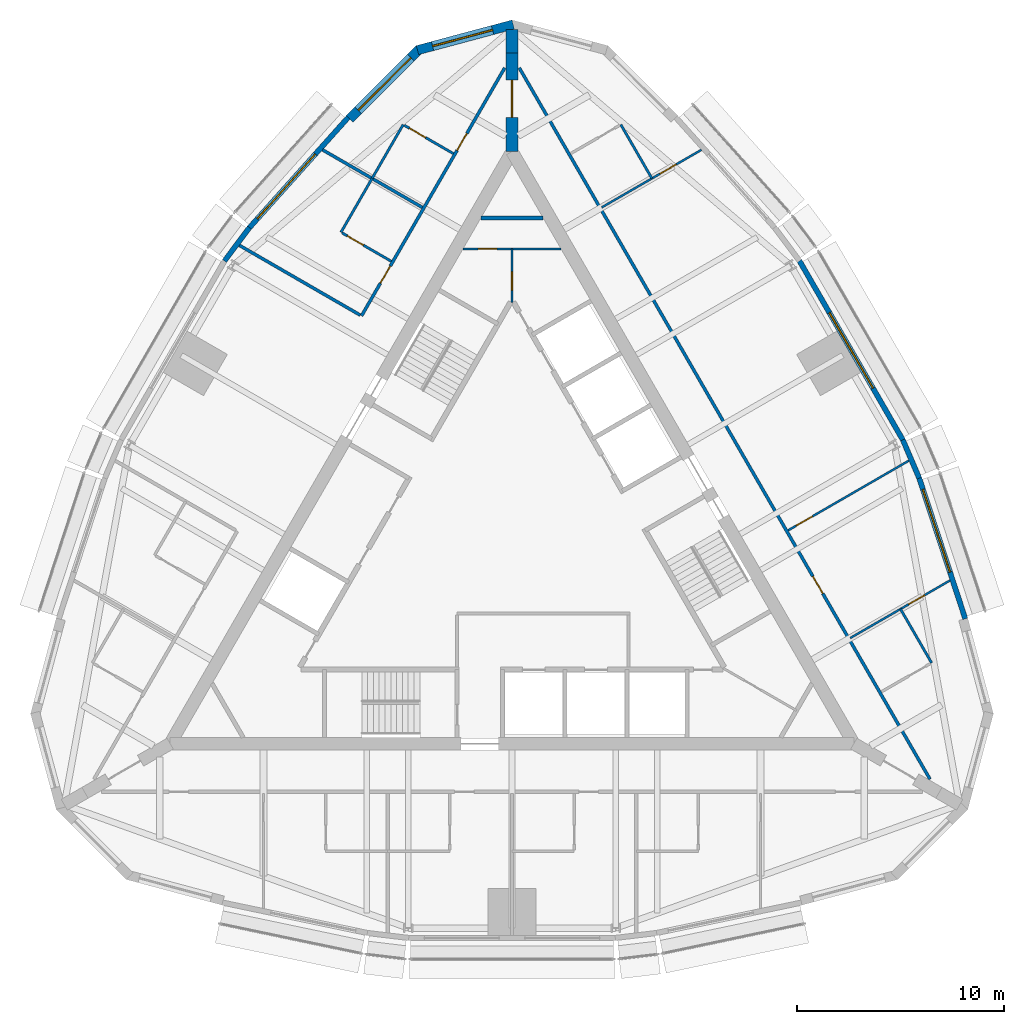
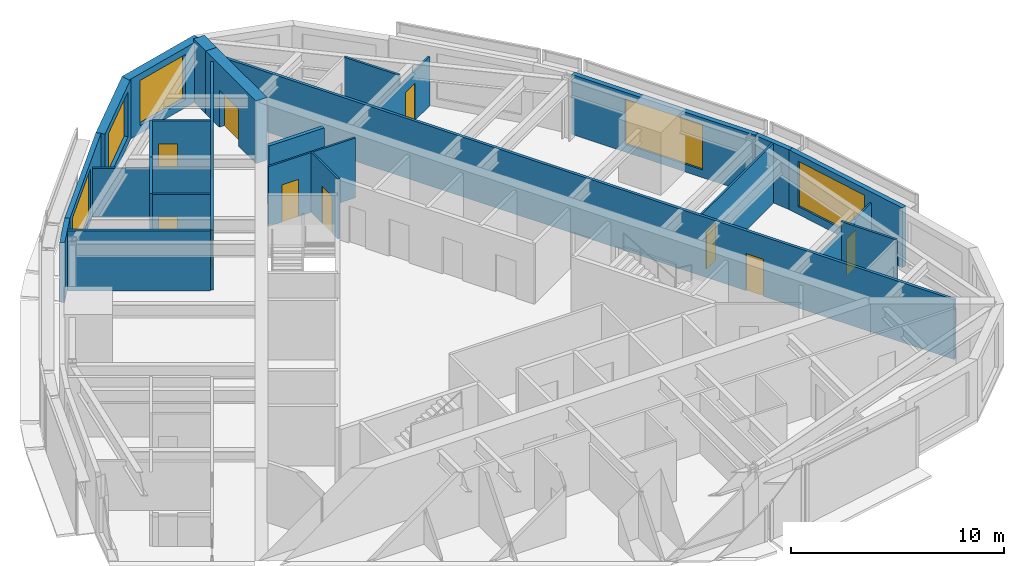
# One storey, part 10 of 12: 25 walls, 11 doors, 5 windows, 16 openings.
"""IFC4 building model written with IfcOpenShell, lengths in metres."""

from ifc_helpers import new_model, si_unit, direction, frame, frame_2d, origin, place, context, subcontext, project, spatial, polyline, rectangle, outline, extrude, material, layer, layer_set, type_object, element, fill, save


model = new_model("IFC4")

# Units and contexts
model_context = context("Model", 3, precision=1e-05, world=origin(), true_north=direction((0.0, 1.0)))
body_context = subcontext(model_context, "Body", "Model", "MODEL_VIEW")
ifc_project = project(units=[si_unit("LENGTHUNIT", "METRE"), si_unit("AREAUNIT", "SQUARE_METRE"), si_unit("VOLUMEUNIT", "CUBIC_METRE"), si_unit("PLANEANGLEUNIT", "RADIAN"), si_unit("MASSUNIT", "GRAM", prefix="KILO")], contexts=[model_context])

# Site, building, storey
site_placement = place(None, origin())
site = spatial("IfcSite", under=ifc_project, at=site_placement, CompositionType="ELEMENT")
building_placement = place(site_placement, origin())
building = spatial("IfcBuilding", under=site, at=building_placement, Name="Trikona Tower", CompositionType="ELEMENT")
storey_placement = place(building_placement, frame((0.0, 0.0, 260.89990234375)))
storey = spatial("IfcBuildingStorey", under=building, at=storey_placement, Name="L69", CompositionType="ELEMENT", Elevation=260.89990234375)

# Walls
ifc_material_1 = material(Name="Metal stud and cement board", Category="gypsum")
ifc_layer_1 = layer(ifc_material_1, 0.1201171875)
ifc_layer_set_1 = layer_set([ifc_layer_1], Name="Bathroom wall 120")
wall_type_1 = type_object("IfcWallType", Name="Bathroom wall 120", PredefinedType="PLUMBINGWALL", material=ifc_layer_set_1)
wall_1_placement = place(storey_placement, frame((20.25341796875, -5.627197265625, 0.0), z_axis=(0.0, 0.0, 1.0), x_axis=(-0.50002537861, 0.866010750942, 0.0)))
element("IfcWall", 1, at=wall_1_placement, inside=storey, type_object=wall_type_1, Name="Bathroom wall 6905.1", PredefinedType="PLUMBINGWALL", context=body_context, shape_type="SweptSolid", body=[
    extrude(rectangle(XDim=2.999755859375, YDim=0.1201171875, at=frame_2d((1.5, 0.0))), origin(), (0.0, 0.0, 1.0), 3.43505859375),
])
for number, where, z_axis, x_axis, name in (
    (2, (6.75341796875, 17.75537109375, 0.0), (0.0, 0.0, 1.0), (-0.499990139034, 0.866031096941, 0.0), "Bathroom wall 6905.2"),
    (3, (-5.25341796875, 20.353515625, 0.0), (0.0, 0.0, 1.0), (-0.499990139034, -0.866031096941, 0.0), "Bathroom wall 6906"),
):
    element("IfcWall", number, at=place(storey_placement, frame(where, z_axis=z_axis, x_axis=x_axis)), inside=storey, type_object=wall_type_1, Name=name, PredefinedType="PLUMBINGWALL", context=body_context, shape_type="SweptSolid", body=[
        extrude(rectangle(XDim=3.0, YDim=0.1201171875, at=frame_2d((1.5, 0.0))), origin(), (0.0, 0.0, 1.0), 3.43505859375),
    ])

# Wall, opening, door
wall_2_placement = place(storey_placement, frame((-2.82861328125, 18.95361328125, 0.0), z_axis=(0.0, 0.0, 1.0), x_axis=(-0.866035715982, 0.499982138324, 0.0)))
wall_2 = element("IfcWall", 4, at=wall_2_placement, inside=storey, type_object=wall_type_1, Name="Bathroom wall 6906", PredefinedType="PLUMBINGWALL", context=body_context, shape_type="SweptSolid", body=[
    extrude(rectangle(XDim=2.73974609375, YDim=0.1201171875, at=frame_2d((1.369873046875, 0.0))), origin(), (0.0, 0.0, 1.0), 3.43505859375),
])
opening_1_placement = place(wall_2_placement, frame((1.550048828125, 0.0, 0.0)))
opening_1 = element("IfcOpeningElement", 5, at=opening_1_placement, cuts=wall_2, Name="Opening D2", PredefinedType="OPENING", context=body_context, shape_type="SweptSolid", body=[
    extrude(rectangle(XDim=0.89990234375, YDim=2.1298828125, at=frame_2d((0.449951171875, 1.06494140625))), frame((0.0, 0.070068359375, 0.0), z_axis=(0.0, -1.0, 0.0), x_axis=(1.0, 0.0, 0.0)), (0.0, 0.0, 1.0), 0.14013671875),
])
ifc_material_2 = material(Name="Steel door frame with solid-core timber leaf", Category="steel")
door_type_1 = type_object("IfcDoorType", Name="Bathroom door 900x2130", OperationType="SLIDING_TO_LEFT", PredefinedType="DOOR", material=ifc_material_2)
door_1_placement = place(opening_1_placement, origin())
door_1 = element("IfcDoor", 6, at=door_1_placement, inside=storey, type_object=door_type_1, Name="Bathroom door 6906", OperationType="SLIDING_TO_LEFT", OverallHeight=2.1298828125, OverallWidth=0.89990234375, PredefinedType="DOOR", context=body_context, shape_type="SweptSolid", body=[
    extrude(rectangle(XDim=0.89990234375, YDim=2.1298828125, at=frame_2d((0.449951171875, 1.06494140625))), frame((0.0, 0.02490234375, 0.0), z_axis=(0.0, -1.0, 0.0), x_axis=(1.0, 0.0, 0.0)), (0.0, 0.0, 1.0), 0.050048828125),
])
fill(opening_1, door_1)

# Wall
wall_3_placement = place(storey_placement, frame((-6.75341796875, 17.75537109375, 0.0), z_axis=(0.0, 0.0, 1.0), x_axis=(-0.50002537861, -0.866010750942, 0.0)))
element("IfcWall", 7, at=wall_3_placement, inside=storey, type_object=wall_type_1, Name="Bathroom wall 6907", PredefinedType="PLUMBINGWALL", context=body_context, shape_type="SweptSolid", body=[
    extrude(rectangle(XDim=2.999755859375, YDim=0.1201171875, at=frame_2d((1.5, 0.0))), origin(), (0.0, 0.0, 1.0), 3.43505859375),
])

# Wall, opening, door
wall_4_placement = place(storey_placement, frame((-5.82861328125, 13.75732421875, 0.0), z_axis=(0.0, 0.0, 1.0), x_axis=(-0.865997131366, 0.500048966069, 0.0)))
wall_4 = element("IfcWall", 8, at=wall_4_placement, inside=storey, type_object=wall_type_1, Name="Bathroom wall 6907", PredefinedType="PLUMBINGWALL", context=body_context, shape_type="SweptSolid", body=[
    extrude(rectangle(XDim=2.739990234375, YDim=0.1201171875, at=frame_2d((1.3701171875, 0.0))), origin(), (0.0, 0.0, 1.0), 3.43505859375),
])
opening_2_placement = place(wall_4_placement, frame((1.550048828125, 0.0, 0.0)))
opening_2 = element("IfcOpeningElement", 9, at=opening_2_placement, cuts=wall_4, Name="Opening D2", PredefinedType="OPENING", context=body_context, shape_type="SweptSolid", body=[
    extrude(rectangle(XDim=0.89990234375, YDim=2.1298828125, at=frame_2d((0.449951171875, 1.06494140625))), frame((0.0, 0.070068359375, 0.0), z_axis=(0.0, -1.0, 0.0), x_axis=(1.0, 0.0, 0.0)), (0.0, 0.0, 1.0), 0.14013671875),
])
door_2_placement = place(opening_2_placement, origin())
door_2 = element("IfcDoor", 10, at=door_2_placement, inside=storey, type_object=door_type_1, Name="Bathroom door 6907", OperationType="SLIDING_TO_LEFT", OverallHeight=2.1298828125, OverallWidth=0.89990234375, PredefinedType="DOOR", context=body_context, shape_type="SweptSolid", body=[
    extrude(rectangle(XDim=0.89990234375, YDim=2.1298828125, at=frame_2d((0.449951171875, 1.06494140625))), frame((0.0, 0.02490234375, 0.0), z_axis=(0.0, -1.0, 0.0), x_axis=(1.0, 0.0, 0.0)), (0.0, 0.0, 1.0), 0.050048828125),
])
fill(opening_2, door_2)

# Wall, opening, window
ifc_material_3 = material(Name="Brick-faced precast concrete", Category="masonry")
ifc_layer_2 = layer(ifc_material_3, 0.449951171875)
ifc_layer_set_2 = layer_set([ifc_layer_2], Name="Brick-faced corner wall 450")
wall_type_2 = type_object("IfcWallType", Name="Brick-faced corner wall 450", PredefinedType="SOLIDWALL", material=ifc_layer_set_2)
wall_5_placement = place(storey_placement, frame((0.05810546875, 25.18603515625, 0.0), z_axis=(0.0, 0.0, 1.0), x_axis=(-0.965926628191, -0.258816052347, 0.0)))
wall_5 = element("IfcWall", 11, at=wall_5_placement, inside=storey, type_object=wall_type_2, Name="External wall L69-16", PredefinedType="SOLIDWALL", context=body_context, shape_type="SweptSolid", body=[
    extrude(outline(polyline([(4.781494140625, 0.22509765625), (0.430908203125, 0.22509765625), (0.406005859375, 0.132080078125), (0.059326171875, 0.22509765625), (0.0, 0.22509765625), (0.0, -0.22509765625), (4.781494140625, -0.22509765625), (4.781494140625, 0.22509765625)])), origin(), (0.0, 0.0, 1.0), 3.43505859375),
])
opening_3_placement = place(wall_5_placement, frame((1.031494140625, 0.0, 0.449951171875)))
opening_3 = element("IfcOpeningElement", 12, at=opening_3_placement, cuts=wall_5, Name="Opening W3026", PredefinedType="OPENING", context=body_context, shape_type="SweptSolid", body=[
    extrude(rectangle(XDim=3.0, YDim=2.60009765625, at=frame_2d((1.5, 1.300048828125))), frame((0.0, 0.23486328125, 0.0), z_axis=(0.0, -1.0, 0.0), x_axis=(1.0, 0.0, 0.0)), (0.0, 0.0, 1.0), 0.469970703125),
])
ifc_material_4 = material(Name="Aluminium-framed double glazing", Category="aluminium")
window_type_1 = type_object("IfcWindowType", Name="Window 3000x2600", PartitioningType="SINGLE_PANEL", PredefinedType="WINDOW", material=ifc_material_4)
window_1_placement = place(opening_3_placement, origin())
window_1 = element("IfcWindow", 13, at=window_1_placement, inside=storey, type_object=window_type_1, Name="Window 6906", OverallHeight=2.60009765625, OverallWidth=3.0, PartitioningType="SINGLE_PANEL", PredefinedType="WINDOW", context=body_context, shape_type="SweptSolid", body=[
    extrude(rectangle(XDim=3.0, YDim=2.60009765625, at=frame_2d((1.5, 1.300048828125))), frame((0.0, 0.030029296875, 0.0), z_axis=(0.0, -1.0, 0.0), x_axis=(1.0, 0.0, 0.0)), (0.0, 0.0, 1.0), 0.06005859375),
])
fill(opening_3, window_1)

wall_6_placement = place(storey_placement, frame((-4.459716796875, 24.006591796875, 0.0), z_axis=(0.0, 0.0, 1.0), x_axis=(-0.707106781187, -0.707106781187, 0.0)))
wall_6 = element("IfcWall", 14, at=wall_6_placement, inside=storey, type_object=wall_type_2, Name="External wall L69-17", PredefinedType="SOLIDWALL", context=body_context, shape_type="SweptSolid", body=[
    extrude(rectangle(XDim=4.781494140625, YDim=0.449951171875, at=frame_2d((2.390625, 0.0))), origin(), (0.0, 0.0, 1.0), 3.43505859375),
])
opening_4_placement = place(wall_6_placement, frame((0.5908203125, 0.0, 0.449951171875)))
opening_4 = element("IfcOpeningElement", 15, at=opening_4_placement, cuts=wall_6, Name="Opening W3626", PredefinedType="OPENING", context=body_context, shape_type="SweptSolid", body=[
    extrude(rectangle(XDim=3.60009765625, YDim=2.60009765625, at=frame_2d((1.800048828125, 1.300048828125))), frame((0.0, 0.23486328125, 0.0), z_axis=(0.0, -1.0, 0.0), x_axis=(1.0, 0.0, 0.0)), (0.0, 0.0, 1.0), 0.469970703125),
])
ifc_material_5 = material(Name="Aluminium-framed double glazing", Category="aluminium")
window_type_2 = type_object("IfcWindowType", Name="Window 3600x2600", PartitioningType="SINGLE_PANEL", PredefinedType="WINDOW", material=ifc_material_5)
window_2_placement = place(opening_4_placement, origin())
window_2 = element("IfcWindow", 16, at=window_2_placement, inside=storey, type_object=window_type_2, Name="Window 6906", OverallHeight=2.60009765625, OverallWidth=3.60009765625, PartitioningType="SINGLE_PANEL", PredefinedType="WINDOW", context=body_context, shape_type="SweptSolid", body=[
    extrude(rectangle(XDim=3.60009765625, YDim=2.60009765625, at=frame_2d((1.800048828125, 1.300048828125))), frame((0.0, 0.030029296875, 0.0), z_axis=(0.0, -1.0, 0.0), x_axis=(1.0, 0.0, 0.0)), (0.0, 0.0, 1.0), 0.06005859375),
])
fill(opening_4, window_2)

# Wall, opening, door
ifc_material_6 = material(Name="Concrete f'c 10000 psi", Category="concrete")
ifc_layer_3 = layer(ifc_material_6, 0.60009765625)
ifc_layer_set_3 = layer_set([ifc_layer_3], Name="Buttress wall 600")
wall_type_3 = type_object("IfcWallType", Name="Buttress wall 600", PredefinedType="SHEAR", material=ifc_layer_set_3)
wall_7_placement = place(storey_placement, frame((0.0, 19.052490234375, 0.0), z_axis=(0.0, 0.0, 1.0), x_axis=(0.0, 1.0, 0.0)))
wall_7 = element("IfcWall", 17, at=wall_7_placement, inside=storey, type_object=wall_type_3, Name="Buttress wall 2", PredefinedType="SHEAR", context=body_context, shape_type="SweptSolid", body=[
    extrude(rectangle(XDim=4.74609375, YDim=0.60009765625, at=frame_2d((2.373046875, 0.0))), origin(), (0.0, 0.0, 1.0), 3.60009765625),
])
opening_5_placement = place(wall_7_placement, frame((1.64990234375, 0.0, 0.0)))
opening_5 = element("IfcOpeningElement", 18, at=opening_5_placement, cuts=wall_7, Name="Opening D10", PredefinedType="OPENING", context=body_context, shape_type="SweptSolid", body=[
    extrude(rectangle(XDim=1.800048828125, YDim=2.1298828125, at=frame_2d((0.89990234375, 1.06494140625))), frame((0.0, 0.31005859375, 0.0), z_axis=(0.0, -1.0, 0.0), x_axis=(1.0, 0.0, 0.0)), (0.0, 0.0, 1.0), 0.6201171875),
])
ifc_material_7 = material(Name="Hollow metal door and frame", Category="steel")
door_type_2 = type_object("IfcDoorType", Name="Cross-corridor door pair 1800x2130", OperationType="DOUBLE_DOOR_DOUBLE_SWING", PredefinedType="DOOR", material=ifc_material_7)
door_3_placement = place(opening_5_placement, origin())
door_3 = element("IfcDoor", 19, at=door_3_placement, inside=storey, type_object=door_type_2, Name="Cross-corridor door 2", OperationType="DOUBLE_DOOR_DOUBLE_SWING", OverallHeight=2.1298828125, OverallWidth=1.800048828125, PredefinedType="DOOR", context=body_context, shape_type="SweptSolid", body=[
    extrude(rectangle(XDim=1.800048828125, YDim=2.1298828125, at=frame_2d((0.89990234375, 1.06494140625))), frame((0.0, 0.02490234375, 0.0), z_axis=(0.0, -1.0, 0.0), x_axis=(1.0, 0.0, 0.0)), (0.0, 0.0, 1.0), 0.050048828125),
])
fill(opening_5, door_3)

# Wall
wall_8_placement = place(storey_placement, frame((0.0, 23.798583984375, 0.0), z_axis=(0.0, 0.0, 1.0), x_axis=(0.0, 1.0, 0.0)))
element("IfcWall", 20, at=wall_8_placement, inside=storey, type_object=wall_type_3, Name="Buttress wall 2 part 2", PredefinedType="SHEAR", context=body_context, shape_type="SweptSolid", body=[
    extrude(rectangle(XDim=1.15478515625, YDim=0.60009765625, at=frame_2d((0.577392578125, 0.0))), origin(), (0.0, 0.0, 1.0), 3.60009765625),
])

# Wall, opening, door
ifc_material_8 = material(Name="Metal stud and gypsum board, 1-hour", Category="gypsum")
ifc_layer_4 = layer(ifc_material_8, 0.14990234375)
ifc_layer_set_4 = layer_set([ifc_layer_4], Name="Corridor wall 150")
wall_type_4 = type_object("IfcWallType", Name="Corridor wall 150", PredefinedType="PARTITIONING", material=ifc_layer_set_4)
wall_9_placement = place(storey_placement, frame((20.177001953125, -11.2451171875, 0.0), z_axis=(0.0, 0.0, 1.0), x_axis=(-0.499998875317, 0.866026053119, 0.0)))
wall_9 = element("IfcWall", 21, at=wall_9_placement, inside=storey, type_object=wall_type_4, Name="Corridor wall L69-2", PredefinedType="PARTITIONING", context=body_context, shape_type="SweptSolid", body=[
    extrude(rectangle(XDim=39.65380859375, YDim=0.14990234375, at=frame_2d((19.826904296875, 0.0))), origin(), (0.0, 0.0, 1.0), 3.43505859375),
])
opening_6_placement = place(wall_9_placement, frame((10.35205078125, 0.0, 0.0)))
opening_6 = element("IfcOpeningElement", 22, at=opening_6_placement, cuts=wall_9, Name="Opening D1", PredefinedType="OPENING", context=body_context, shape_type="SweptSolid", body=[
    extrude(rectangle(XDim=0.949951171875, YDim=2.1298828125, at=frame_2d((0.47509765625, 1.06494140625))), frame((0.0, 0.0849609375, 0.0), z_axis=(0.0, -1.0, 0.0), x_axis=(1.0, 0.0, 0.0)), (0.0, 0.0, 1.0), 0.169921875),
])
ifc_material_9 = material(Name="Steel door frame with solid-core timber leaf", Category="steel")
door_type_3 = type_object("IfcDoorType", Name="Guest room door 950x2130", OperationType="SINGLE_SWING_LEFT", PredefinedType="DOOR", material=ifc_material_9)
door_4_placement = place(opening_6_placement, origin())
door_4 = element("IfcDoor", 23, at=door_4_placement, inside=storey, type_object=door_type_3, Name="Room door 6905", OperationType="SINGLE_SWING_LEFT", OverallHeight=2.1298828125, OverallWidth=0.949951171875, PredefinedType="DOOR", context=body_context, shape_type="SweptSolid", body=[
    extrude(rectangle(XDim=0.949951171875, YDim=2.1298828125, at=frame_2d((0.47509765625, 1.06494140625))), frame((0.0, 0.02490234375, 0.0), z_axis=(0.0, -1.0, 0.0), x_axis=(1.0, 0.0, 0.0)), (0.0, 0.0, 1.0), 0.050048828125),
])
fill(opening_6, door_4)

# Wall, openings, doors
wall_10_placement = place(storey_placement, frame((-0.35009765625, 23.09619140625, 0.0), z_axis=(0.0, 0.0, 1.0), x_axis=(-0.499996044987, -0.8660276872, 0.0)))
wall_10 = element("IfcWall", 24, at=wall_10_placement, inside=storey, type_object=wall_type_4, Name="Corridor wall L69-3A", PredefinedType="PARTITIONING", context=body_context, shape_type="SweptSolid", body=[
    extrude(rectangle(XDim=13.82666015625, YDim=0.14990234375, at=frame_2d((6.913330078125, 0.0))), origin(), (0.0, 0.0, 1.0), 3.43505859375),
])
opening_7_placement = place(wall_10_placement, frame((3.652099609375, 0.0, 0.0)))
opening_7 = element("IfcOpeningElement", 25, at=opening_7_placement, cuts=wall_10, Name="Opening D1", PredefinedType="OPENING", context=body_context, shape_type="SweptSolid", body=[
    extrude(rectangle(XDim=0.949951171875, YDim=2.1298828125, at=frame_2d((0.47509765625, 1.06494140625))), frame((0.0, 0.0849609375, 0.0), z_axis=(0.0, -1.0, 0.0), x_axis=(1.0, 0.0, 0.0)), (0.0, 0.0, 1.0), 0.169921875),
])
opening_8_placement = place(wall_10_placement, frame((11.052001953125, 0.0, 0.0)))
opening_8 = element("IfcOpeningElement", 26, at=opening_8_placement, cuts=wall_10, Name="Opening D1", PredefinedType="OPENING", context=body_context, shape_type="SweptSolid", body=[
    extrude(rectangle(XDim=0.949951171875, YDim=2.1298828125, at=frame_2d((0.47509765625, 1.06494140625))), frame((0.0, 0.0849609375, 0.0), z_axis=(0.0, -1.0, 0.0), x_axis=(1.0, 0.0, 0.0)), (0.0, 0.0, 1.0), 0.169921875),
])
door_5_placement = place(opening_7_placement, origin())
door_5 = element("IfcDoor", 27, at=door_5_placement, inside=storey, type_object=door_type_3, Name="Room door 6906", OperationType="SINGLE_SWING_LEFT", OverallHeight=2.1298828125, OverallWidth=0.949951171875, PredefinedType="DOOR", context=body_context, shape_type="SweptSolid", body=[
    extrude(rectangle(XDim=0.949951171875, YDim=2.1298828125, at=frame_2d((0.47509765625, 1.06494140625))), frame((0.0, 0.02490234375, 0.0), z_axis=(0.0, -1.0, 0.0), x_axis=(1.0, 0.0, 0.0)), (0.0, 0.0, 1.0), 0.050048828125),
])
fill(opening_7, door_5)
door_6_placement = place(opening_8_placement, origin())
door_6 = element("IfcDoor", 28, at=door_6_placement, inside=storey, type_object=door_type_3, Name="Room door 6907", OperationType="SINGLE_SWING_RIGHT", OverallHeight=2.1298828125, OverallWidth=0.949951171875, PredefinedType="DOOR", context=body_context, shape_type="SweptSolid", body=[
    extrude(rectangle(XDim=0.949951171875, YDim=2.1298828125, at=frame_2d((0.47509765625, 1.06494140625))), frame((0.0, 0.02490234375, 0.0), z_axis=(0.0, -1.0, 0.0), x_axis=(1.0, 0.0, 0.0)), (0.0, 0.0, 1.0), 0.050048828125),
])
fill(opening_8, door_6)

# Wall, opening, window
ifc_material_10 = material(Name="Insulated precast concrete spandrel panel", Category="concrete")
ifc_layer_5 = layer(ifc_material_10, 0.25)
ifc_layer_set_5 = layer_set([ifc_layer_5], Name="Inner skin wall 250")
wall_type_5 = type_object("IfcWallType", Name="Inner skin wall 250", PredefinedType="STANDARD", material=ifc_layer_set_5)
wall_11_placement = place(storey_placement, frame((21.881103515625, -3.5029296875, 0.0), z_axis=(0.0, 0.0, 1.0), x_axis=(-0.311328857048, 0.95030223759, 0.0)))
wall_11 = element("IfcWall", 29, at=wall_11_placement, inside=storey, type_object=wall_type_5, Name="External wall L69-09", PredefinedType="STANDARD", context=body_context, shape_type="SweptSolid", body=[
    extrude(rectangle(XDim=7.152587890625, YDim=0.25, at=frame_2d((3.576171875, 0.0))), origin(), (0.0, 0.0, 1.0), 3.43505859375),
])
opening_9_placement = place(wall_11_placement, frame((2.3759765625, 0.0, 0.449951171875)))
opening_9 = element("IfcOpeningElement", 30, at=opening_9_placement, cuts=wall_11, Name="Opening W4226", PredefinedType="OPENING", context=body_context, shape_type="SweptSolid", body=[
    extrude(rectangle(XDim=4.199951171875, YDim=2.60009765625, at=frame_2d((2.10009765625, 1.300048828125))), frame((0.0, 0.135009765625, 0.0), z_axis=(0.0, -1.0, 0.0), x_axis=(1.0, 0.0, 0.0)), (0.0, 0.0, 1.0), 0.27001953125),
])
ifc_material_11 = material(Name="Aluminium-framed double glazing", Category="aluminium")
window_type_3 = type_object("IfcWindowType", Name="Window 4200x2600", PartitioningType="SINGLE_PANEL", PredefinedType="WINDOW", material=ifc_material_11)
window_3_placement = place(opening_9_placement, origin())
window_3 = element("IfcWindow", 31, at=window_3_placement, inside=storey, type_object=window_type_3, Name="Window 6905", OverallHeight=2.60009765625, OverallWidth=4.199951171875, PartitioningType="SINGLE_PANEL", PredefinedType="WINDOW", context=body_context, shape_type="SweptSolid", body=[
    extrude(rectangle(XDim=4.199951171875, YDim=2.60009765625, at=frame_2d((2.10009765625, 1.300048828125))), frame((0.0, 0.030029296875, 0.0), z_axis=(0.0, -1.0, 0.0), x_axis=(1.0, 0.0, 0.0)), (0.0, 0.0, 1.0), 0.06005859375),
])
fill(opening_9, window_3)

# Wall
wall_12_placement = place(storey_placement, frame((19.658203125, 3.283935546875, 0.0), z_axis=(0.0, 0.0, 1.0), x_axis=(-0.393290226175, 0.91941437774, 0.0)))
element("IfcWall", 32, at=wall_12_placement, inside=storey, type_object=wall_type_5, Name="External wall L69-10", PredefinedType="STANDARD", context=body_context, shape_type="SweptSolid", body=[
    extrude(rectangle(XDim=2.014404296875, YDim=0.25, at=frame_2d((1.00732421875, 0.0))), origin(), (0.0, 0.0, 1.0), 3.43505859375),
])

# Wall, opening, window
wall_13_placement = place(storey_placement, frame((18.87255859375, 5.12255859375, 0.0), z_axis=(0.0, 0.0, 1.0), x_axis=(-0.499993662806, 0.866029062534, 0.0)))
wall_13 = element("IfcWall", 33, at=wall_13_placement, inside=storey, type_object=wall_type_5, Name="External wall L69-11", PredefinedType="STANDARD", context=body_context, shape_type="SweptSolid", body=[
    extrude(rectangle(XDim=10.000244140625, YDim=0.25, at=frame_2d((5.0, 0.0))), origin(), (0.0, 0.0, 1.0), 3.43505859375),
])
opening_10_placement = place(wall_13_placement, frame((2.89990234375, 0.0, 0.449951171875)))
opening_10 = element("IfcOpeningElement", 34, at=opening_10_placement, cuts=wall_13, Name="Opening W4226", PredefinedType="OPENING", context=body_context, shape_type="SweptSolid", body=[
    extrude(rectangle(XDim=4.199951171875, YDim=2.60009765625, at=frame_2d((2.10009765625, 1.300048828125))), frame((0.0, 0.135009765625, 0.0), z_axis=(0.0, -1.0, 0.0), x_axis=(1.0, 0.0, 0.0)), (0.0, 0.0, 1.0), 0.27001953125),
])
window_4_placement = place(opening_10_placement, origin())
window_4 = element("IfcWindow", 35, at=window_4_placement, inside=storey, type_object=window_type_3, Name="Window 6905.3", OverallHeight=2.60009765625, OverallWidth=4.199951171875, PartitioningType="SINGLE_PANEL", PredefinedType="WINDOW", context=body_context, shape_type="SweptSolid", body=[
    extrude(rectangle(XDim=4.199951171875, YDim=2.60009765625, at=frame_2d((2.10009765625, 1.300048828125))), frame((0.0, 0.030029296875, 0.0), z_axis=(0.0, -1.0, 0.0), x_axis=(1.0, 0.0, 0.0)), (0.0, 0.0, 1.0), 0.06005859375),
])
fill(opening_10, window_4)

wall_14_placement = place(storey_placement, frame((-7.906982421875, 20.701171875, 0.0), z_axis=(0.0, 0.0, 1.0), x_axis=(-0.667303550892, -0.744785855778, 0.0)))
wall_14 = element("IfcWall", 36, at=wall_14_placement, inside=storey, type_object=wall_type_5, Name="External wall L69-18", PredefinedType="STANDARD", context=body_context, shape_type="SweptSolid", body=[
    extrude(rectangle(XDim=7.152587890625, YDim=0.25, at=frame_2d((3.576171875, 0.0))), origin(), (0.0, 0.0, 1.0), 3.43505859375),
])
opening_11_placement = place(wall_14_placement, frame((2.3759765625, 0.0, 0.449951171875)))
opening_11 = element("IfcOpeningElement", 37, at=opening_11_placement, cuts=wall_14, Name="Opening W4226", PredefinedType="OPENING", context=body_context, shape_type="SweptSolid", body=[
    extrude(rectangle(XDim=4.199951171875, YDim=2.60009765625, at=frame_2d((2.10009765625, 1.300048828125))), frame((0.0, 0.135009765625, 0.0), z_axis=(0.0, -1.0, 0.0), x_axis=(1.0, 0.0, 0.0)), (0.0, 0.0, 1.0), 0.27001953125),
])
window_5_placement = place(opening_11_placement, origin())
window_5 = element("IfcWindow", 38, at=window_5_placement, inside=storey, type_object=window_type_3, Name="Window 6907", OverallHeight=2.60009765625, OverallWidth=4.199951171875, PartitioningType="SINGLE_PANEL", PredefinedType="WINDOW", context=body_context, shape_type="SweptSolid", body=[
    extrude(rectangle(XDim=4.199951171875, YDim=2.60009765625, at=frame_2d((2.10009765625, 1.300048828125))), frame((0.0, 0.030029296875, 0.0), z_axis=(0.0, -1.0, 0.0), x_axis=(1.0, 0.0, 0.0)), (0.0, 0.0, 1.0), 0.06005859375),
])
fill(opening_11, window_5)

# Walls
wall_15_placement = place(storey_placement, frame((-12.673095703125, 15.38232421875, 0.0), z_axis=(0.0, 0.0, 1.0), x_axis=(-0.599650843534, -0.800261748335, 0.0)))
element("IfcWall", 39, at=wall_15_placement, inside=storey, type_object=wall_type_5, Name="External wall L69-19", PredefinedType="STANDARD", context=body_context, shape_type="SweptSolid", body=[
    extrude(rectangle(XDim=2.01416015625, YDim=0.25, at=frame_2d((1.007080078125, 0.0))), origin(), (0.0, 0.0, 1.0), 3.43505859375),
])
ifc_material_12 = material(Name="Metal stud and gypsum board, 1-hour acoustic", Category="gypsum")
ifc_layer_6 = layer(ifc_material_12, 0.14990234375)
ifc_layer_set_6 = layer_set([ifc_layer_6], Name="Party wall 150")
wall_type_6 = type_object("IfcWallType", Name="Party wall 150", PredefinedType="PARTITIONING", material=ifc_layer_set_6)
wall_16_placement = place(storey_placement, frame((-4.32861328125, 16.35546875, 0.0), z_axis=(0.0, 0.0, 1.0), x_axis=(-0.866029066823, 0.499993655377, 0.0)))
element("IfcWall", 40, at=wall_16_placement, inside=storey, type_object=wall_type_6, Name="Partition L69 F3 u-12", PredefinedType="PARTITIONING", context=body_context, shape_type="SweptSolid", body=[
    extrude(rectangle(XDim=5.55859375, YDim=0.14990234375, at=frame_2d((2.779296875, 0.0))), origin(), (0.0, 0.0, 1.0), 2.822998046875),
])
wall_17_placement = place(storey_placement, frame((-7.32861328125, 11.1591796875, 0.0), z_axis=(0.0, 0.0, 1.0), x_axis=(-0.866020720842, 0.500008111007, 0.0)))
element("IfcWall", 41, at=wall_17_placement, inside=storey, type_object=wall_type_6, Name="Partition L69 F3 u-6", PredefinedType="PARTITIONING", context=body_context, shape_type="SweptSolid", body=[
    extrude(rectangle(XDim=6.732421875, YDim=0.14990234375, at=frame_2d((3.3662109375, 0.0))), origin(), (0.0, 0.0, 1.0), 3.43505859375),
])
ifc_material_13 = material(Name="Concrete f'c 8000 psi", Category="concrete")
ifc_layer_7 = layer(ifc_material_13, 0.199951171875)
ifc_layer_set_7 = layer_set([ifc_layer_7], Name="Shaft wall 200")
wall_type_7 = type_object("IfcWallType", Name="Shaft wall 200", PredefinedType="SOLIDWALL", material=ifc_layer_set_7)
wall_18_placement = place(storey_placement, frame((-1.501220703125, 15.8525390625, 0.0), z_axis=(0.0, 0.0, 1.0), x_axis=(1.0, 0.0, 0.0)))
element("IfcWall", 42, at=wall_18_placement, inside=storey, type_object=wall_type_7, Name="Riser wall L69-RS2", PredefinedType="SOLIDWALL", context=body_context, shape_type="SweptSolid", body=[
    extrude(rectangle(XDim=3.00244140625, YDim=0.199951171875, at=frame_2d((1.501220703125, 0.0))), origin(), (0.0, 0.0, 1.0), 3.43505859375),
])

# Wall, opening, door
ifc_material_14 = material(Name="Metal stud and gypsum board, acoustic", Category="gypsum")
ifc_layer_8 = layer(ifc_material_14, 0.10009765625)
ifc_layer_set_8 = layer_set([ifc_layer_8], Name="Suite partition 100")
wall_type_8 = type_object("IfcWallType", Name="Suite partition 100", PredefinedType="PARTITIONING", material=ifc_layer_set_8)
wall_19_placement = place(storey_placement, frame((16.32861328125, -4.42919921875, 0.0), z_axis=(0.0, 0.0, 1.0), x_axis=(0.866029066823, 0.499993655377, 0.0)))
wall_19 = element("IfcWall", 43, at=wall_19_placement, inside=storey, type_object=wall_type_8, Name="Suite partition L69 F2 u-12", PredefinedType="PARTITIONING", context=body_context, shape_type="SweptSolid", body=[
    extrude(rectangle(XDim=5.55859375, YDim=0.10009765625, at=frame_2d((2.779296875, 0.0))), origin(), (0.0, 0.0, 1.0), 2.822998046875),
])
opening_12_placement = place(wall_19_placement, frame((3.25, 0.0, 0.0)))
opening_12 = element("IfcOpeningElement", 44, at=opening_12_placement, cuts=wall_19, Name="Opening D13", PredefinedType="OPENING", context=body_context, shape_type="SweptSolid", body=[
    extrude(rectangle(XDim=0.89990234375, YDim=2.1298828125, at=frame_2d((0.449951171875, 1.06494140625))), frame((0.0, 0.06005859375, 0.0), z_axis=(0.0, -1.0, 0.0), x_axis=(1.0, 0.0, 0.0)), (0.0, 0.0, 1.0), 0.1201171875),
])
ifc_material_15 = material(Name="Steel door frame with solid-core timber leaf", Category="steel")
door_type_4 = type_object("IfcDoorType", Name="Suite door 900x2130", OperationType="SINGLE_SWING_LEFT", PredefinedType="DOOR", material=ifc_material_15)
door_7_placement = place(opening_12_placement, origin())
door_7 = element("IfcDoor", 45, at=door_7_placement, inside=storey, type_object=door_type_4, Name="Suite door 6905", OperationType="SINGLE_SWING_RIGHT", OverallHeight=2.1298828125, OverallWidth=0.89990234375, PredefinedType="DOOR", context=body_context, shape_type="SweptSolid", body=[
    extrude(rectangle(XDim=0.89990234375, YDim=2.1298828125, at=frame_2d((0.449951171875, 1.06494140625))), frame((0.0, 0.02490234375, 0.0), z_axis=(0.0, -1.0, 0.0), x_axis=(1.0, 0.0, 0.0)), (0.0, 0.0, 1.0), 0.050048828125),
])
fill(opening_12, door_7)

wall_20_placement = place(storey_placement, frame((13.32861328125, 0.76708984375, 0.0), z_axis=(0.0, 0.0, 1.0), x_axis=(0.866020720842, 0.500008111007, 0.0)))
wall_20 = element("IfcWall", 46, at=wall_20_placement, inside=storey, type_object=wall_type_8, Name="Suite partition L69 F2 u-6", PredefinedType="PARTITIONING", context=body_context, shape_type="SweptSolid", body=[
    extrude(rectangle(XDim=6.732421875, YDim=0.10009765625, at=frame_2d((3.3662109375, 0.0))), origin(), (0.0, 0.0, 1.0), 3.43505859375),
])
opening_13_placement = place(wall_20_placement, frame((0.449951171875, 0.0, 0.0)))
opening_13 = element("IfcOpeningElement", 47, at=opening_13_placement, cuts=wall_20, Name="Opening D13", PredefinedType="OPENING", context=body_context, shape_type="SweptSolid", body=[
    extrude(rectangle(XDim=0.89990234375, YDim=2.1298828125, at=frame_2d((0.449951171875, 1.06494140625))), frame((0.0, 0.06005859375, 0.0), z_axis=(0.0, -1.0, 0.0), x_axis=(1.0, 0.0, 0.0)), (0.0, 0.0, 1.0), 0.1201171875),
])
door_8_placement = place(opening_13_placement, origin())
door_8 = element("IfcDoor", 48, at=door_8_placement, inside=storey, type_object=door_type_4, Name="Suite door 6905", OperationType="SINGLE_SWING_LEFT", OverallHeight=2.1298828125, OverallWidth=0.89990234375, PredefinedType="DOOR", context=body_context, shape_type="SweptSolid", body=[
    extrude(rectangle(XDim=0.89990234375, YDim=2.1298828125, at=frame_2d((0.449951171875, 1.06494140625))), frame((0.0, 0.02490234375, 0.0), z_axis=(0.0, -1.0, 0.0), x_axis=(1.0, 0.0, 0.0)), (0.0, 0.0, 1.0), 0.050048828125),
])
fill(opening_13, door_8)

wall_21_placement = place(storey_placement, frame((4.32861328125, 16.35546875, 0.0), z_axis=(0.0, 0.0, 1.0), x_axis=(0.866029066823, 0.499993655377, 0.0)))
wall_21 = element("IfcWall", 49, at=wall_21_placement, inside=storey, type_object=wall_type_8, Name="Suite partition L69 F2 u12", PredefinedType="PARTITIONING", context=body_context, shape_type="SweptSolid", body=[
    extrude(rectangle(XDim=5.55859375, YDim=0.10009765625, at=frame_2d((2.779296875, 0.0))), origin(), (0.0, 0.0, 1.0), 2.822998046875),
])
opening_14_placement = place(wall_21_placement, frame((3.25, 0.0, 0.0)))
opening_14 = element("IfcOpeningElement", 50, at=opening_14_placement, cuts=wall_21, Name="Opening D13", PredefinedType="OPENING", context=body_context, shape_type="SweptSolid", body=[
    extrude(rectangle(XDim=0.89990234375, YDim=2.1298828125, at=frame_2d((0.449951171875, 1.06494140625))), frame((0.0, 0.06005859375, 0.0), z_axis=(0.0, -1.0, 0.0), x_axis=(1.0, 0.0, 0.0)), (0.0, 0.0, 1.0), 0.1201171875),
])
door_9_placement = place(opening_14_placement, origin())
door_9 = element("IfcDoor", 51, at=door_9_placement, inside=storey, type_object=door_type_4, Name="Suite door 6905", OperationType="SINGLE_SWING_LEFT", OverallHeight=2.1298828125, OverallWidth=0.89990234375, PredefinedType="DOOR", context=body_context, shape_type="SweptSolid", body=[
    extrude(rectangle(XDim=0.89990234375, YDim=2.1298828125, at=frame_2d((0.449951171875, 1.06494140625))), frame((0.0, 0.02490234375, 0.0), z_axis=(0.0, -1.0, 0.0), x_axis=(1.0, 0.0, 0.0)), (0.0, 0.0, 1.0), 0.050048828125),
])
fill(opening_14, door_9)

wall_22_placement = place(storey_placement, frame((-2.3671875, 14.3525390625, 0.0), z_axis=(0.0, 0.0, 1.0), x_axis=(1.0, 0.0, 0.0)))
wall_22 = element("IfcWall", 52, at=wall_22_placement, inside=storey, type_object=wall_type_8, Name="Store partition L69-RS2", PredefinedType="PARTITIONING", context=body_context, shape_type="SweptSolid", body=[
    extrude(rectangle(XDim=4.734375, YDim=0.10009765625, at=frame_2d((2.3671875, 0.0))), origin(), (0.0, 0.0, 1.0), 3.43505859375),
])
opening_15_placement = place(wall_22_placement, frame((0.733642578125, 0.0, 0.0)))
opening_15 = element("IfcOpeningElement", 53, at=opening_15_placement, cuts=wall_22, Name="Opening D15", PredefinedType="OPENING", context=body_context, shape_type="SweptSolid", body=[
    extrude(rectangle(XDim=0.89990234375, YDim=2.1298828125, at=frame_2d((0.449951171875, 1.06494140625))), frame((0.0, 0.06005859375, 0.0), z_axis=(0.0, -1.0, 0.0), x_axis=(1.0, 0.0, 0.0)), (0.0, 0.0, 1.0), 0.1201171875),
])
ifc_material_16 = material(Name="Steel door frame with solid-core timber leaf", Category="steel")
door_type_5 = type_object("IfcDoorType", Name="Store door 900x2130", OperationType="SINGLE_SWING_LEFT", PredefinedType="DOOR", material=ifc_material_16)
door_10_placement = place(opening_15_placement, origin())
door_10 = element("IfcDoor", 54, at=door_10_placement, inside=storey, type_object=door_type_5, Name="Door Storage STO", OperationType="SINGLE_SWING_LEFT", OverallHeight=2.1298828125, OverallWidth=0.89990234375, PredefinedType="DOOR", context=body_context, shape_type="SweptSolid", body=[
    extrude(rectangle(XDim=0.89990234375, YDim=2.1298828125, at=frame_2d((0.449951171875, 1.06494140625))), frame((0.0, 0.02490234375, 0.0), z_axis=(0.0, -1.0, 0.0), x_axis=(1.0, 0.0, 0.0)), (0.0, 0.0, 1.0), 0.050048828125),
])
fill(opening_15, door_10)

wall_23_placement = place(storey_placement, frame((0.0, 14.3525390625, 0.0), z_axis=(0.0, 0.0, 1.0), x_axis=(0.0, -1.0, 0.0)))
wall_23 = element("IfcWall", 55, at=wall_23_placement, inside=storey, type_object=wall_type_8, Name="Store partition L69-RS2", PredefinedType="PARTITIONING", context=body_context, shape_type="SweptSolid", body=[
    extrude(rectangle(XDim=2.5751953125, YDim=0.10009765625, at=frame_2d((1.28759765625, 0.0))), origin(), (0.0, 0.0, 1.0), 3.43505859375),
])
opening_16_placement = place(wall_23_placement, frame((1.09521484375, 0.0, 0.0)))
opening_16 = element("IfcOpeningElement", 56, at=opening_16_placement, cuts=wall_23, Name="Opening D15", PredefinedType="OPENING", context=body_context, shape_type="SweptSolid", body=[
    extrude(rectangle(XDim=0.89990234375, YDim=2.1298828125, at=frame_2d((0.449951171875, 1.06494140625))), frame((0.0, 0.06005859375, 0.0), z_axis=(0.0, -1.0, 0.0), x_axis=(1.0, 0.0, 0.0)), (0.0, 0.0, 1.0), 0.1201171875),
])
door_11_placement = place(opening_16_placement, origin())
door_11 = element("IfcDoor", 57, at=door_11_placement, inside=storey, type_object=door_type_5, Name="Door Minibar store MBS", OperationType="SINGLE_SWING_RIGHT", OverallHeight=2.1298828125, OverallWidth=0.89990234375, PredefinedType="DOOR", context=body_context, shape_type="SweptSolid", body=[
    extrude(rectangle(XDim=0.89990234375, YDim=2.1298828125, at=frame_2d((0.449951171875, 1.06494140625))), frame((0.0, 0.02490234375, 0.0), z_axis=(0.0, -1.0, 0.0), x_axis=(1.0, 0.0, 0.0)), (0.0, 0.0, 1.0), 0.050048828125),
])
fill(opening_16, door_11)

save(model, "model.ifc")
